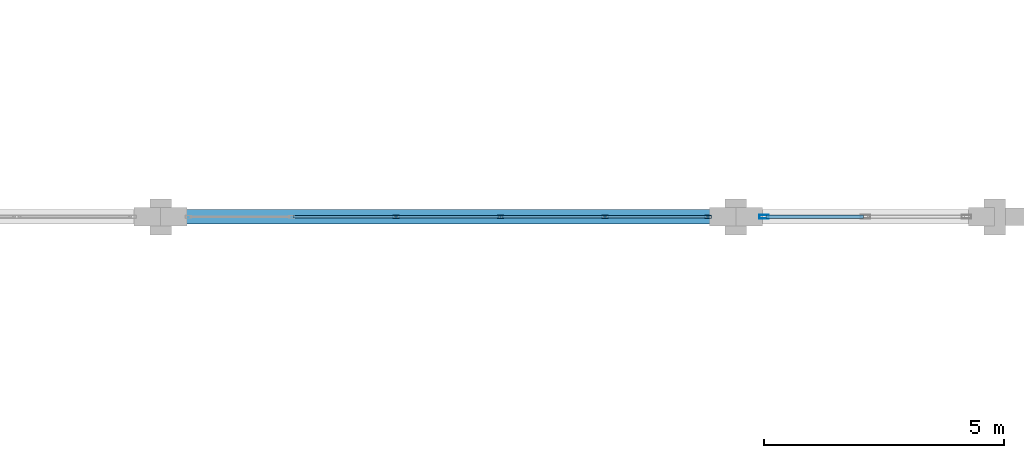
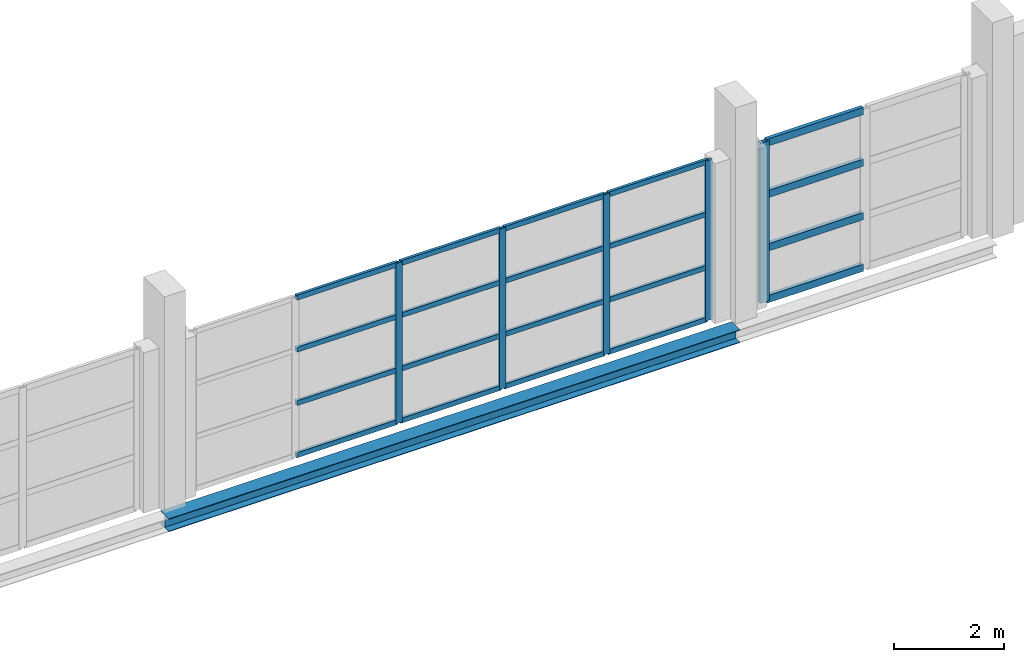
# One storey, part 61 of 147: 25 members, 1 beam, 2 elements without a shape of their own.
"""IFC4 building model written with IfcOpenShell, lengths in metres."""

from ifc_helpers import new_model, si_unit, direction, frame, origin, origin_2d, place, context, subcontext, project, spatial, hollow_rectangle, i_section, extrude, material, layer, layer_set, material_profile, profile_set, type_object, element, aggregate, save


model = new_model("IFC4")

# Units and contexts
model_context = context("Model", 3, precision=1e-05, world=origin(), true_north=direction((0.0, 1.0)))
body_context = subcontext(model_context, "Body", "Model", "MODEL_VIEW")
ifc_project = project(units=[si_unit("LENGTHUNIT", "METRE"), si_unit("AREAUNIT", "SQUARE_METRE"), si_unit("VOLUMEUNIT", "CUBIC_METRE"), si_unit("PLANEANGLEUNIT", "RADIAN"), si_unit("MASSUNIT", "GRAM", prefix="KILO")], contexts=[model_context])

# Site, building, storey
site_placement = place(None, origin())
site = spatial("IfcSite", under=ifc_project, at=site_placement, CompositionType="ELEMENT")
building_placement = place(site_placement, origin())
building = spatial("IfcBuilding", under=site, at=building_placement, Name="Zilviju Railside Exhibition Hall", CompositionType="ELEMENT")
storey_placement = place(building_placement, frame((0.0, 0.0, 8.39990234375)))
storey = spatial("IfcBuildingStorey", under=building, at=storey_placement, Name="L03", CompositionType="ELEMENT", Elevation=8.39990234375)

# Beam
ifc_material_1 = material(Name="Steel S355J2", Category="steel")
ifc_material_profile_1 = material_profile(ifc_material_1, i_section(OverallWidth=0.300048828125, OverallDepth=0.2900390625, WebThickness=0.008544921875, FlangeThickness=0.013916015625, at=origin_2d()), Name="HEA 300")
ifc_profile_set_1 = profile_set([ifc_material_profile_1], Name="Steel S355J2")
beam_type = type_object("IfcBeamType", Name="BM-HEA300", PredefinedType="SPANDREL", material=ifc_profile_set_1)
beam_placement = place(storey_placement, frame((108.0, 54.0, -0.48486328125), z_axis=(1.0, 0.0, 0.0), x_axis=(0.0, 1.0, 0.0)))
element("IfcBeam", 1, at=beam_placement, inside=storey, type_object=beam_type, Name="Primary Girder L03 Y=54.0 (108.0..120.0)", PredefinedType="SPANDREL", context=body_context, shape_type="SweptSolid", body=[
    extrude(i_section(OverallWidth=0.300048828125, OverallDepth=0.2900390625, WebThickness=0.008544921875, FlangeThickness=0.013916015625, at=origin_2d()), origin(), (0.0, 0.0, 1.0), 12.0),
])

# Curtain wall, members
ifc_material_2 = material(Name="Thermally broken aluminium-steel triple-glazed curtain wall", Category="steel")
ifc_layer_1 = layer(ifc_material_2, 0.179931640625)
ifc_layer_set_1 = layer_set([ifc_layer_1], Name="Thermally broken aluminium-steel triple-glazed curtain wall")
curtain_wall_type_1 = type_object("IfcCurtainWallType", Name="CW-BAY-05", PredefinedType="USERDEFINED", material=ifc_layer_set_1)
curtain_wall_1_placement = place(storey_placement, origin())
curtain_wall_1 = element("IfcCurtainWall", 2, at=curtain_wall_1_placement, inside=storey, type_object=curtain_wall_type_1, Name="South Hall Garden Court Curtain Wall L03 (108..120)", ObjectType="GLAZED CURTAIN WALL", PredefinedType="USERDEFINED")
ifc_material_3 = material(Name="Thermally broken anodized aluminium mullion", Category="aluminium")
ifc_material_profile_2 = material_profile(ifc_material_3, hollow_rectangle(XDim=0.06005859375, YDim=0.139892578125, WallThickness=0.0048828125, at=origin_2d()), Name="MULLION 140x60x5")
ifc_profile_set_2 = profile_set([ifc_material_profile_2], Name="Thermally broken anodized aluminium mullion")
member_type_1 = type_object("IfcMemberType", Name="CWM-60x140", PredefinedType="MULLION", material=ifc_profile_set_2)
member_1_placement = place(storey_placement, frame((112.909912109375, 54.0, 0.0), z_axis=(0.0, 0.0, 1.0), x_axis=(0.0, 1.0, 0.0)))
member_1 = element("IfcMember", 3, at=member_1_placement, type_object=member_type_1, Name="CW-05 mullion 3", PredefinedType="MULLION", context=body_context, shape_type="SweptSolid", body=[
    extrude(hollow_rectangle(XDim=0.06005859375, YDim=0.139892578125, WallThickness=0.0048828125, at=origin_2d()), origin(), (0.0, 0.0, 1.0), 3.56005859375),
])
member_2_placement = place(storey_placement, frame((115.090087890625, 54.0, 0.0), z_axis=(0.0, 0.0, 1.0), x_axis=(0.0, 1.0, 0.0)))
member_2 = element("IfcMember", 4, at=member_2_placement, type_object=member_type_1, Name="CW-05 mullion 4", PredefinedType="MULLION", context=body_context, shape_type="SweptSolid", body=[
    extrude(hollow_rectangle(XDim=0.06005859375, YDim=0.139892578125, WallThickness=0.0048828125, at=origin_2d()), origin(), (0.0, 0.0, 1.0), 3.56005859375),
])
member_3_placement = place(storey_placement, frame((117.27001953125, 54.0, 0.0), z_axis=(0.0, 0.0, 1.0), x_axis=(0.0, 1.0, 0.0)))
member_3 = element("IfcMember", 5, at=member_3_placement, type_object=member_type_1, Name="CW-05 mullion 5", PredefinedType="MULLION", context=body_context, shape_type="SweptSolid", body=[
    extrude(hollow_rectangle(XDim=0.06005859375, YDim=0.139892578125, WallThickness=0.0048828125, at=origin_2d()), origin(), (0.0, 0.0, 1.0), 3.56005859375),
])
member_4_placement = place(storey_placement, frame((119.419921875, 54.0, 0.0), z_axis=(0.0, 0.0, 1.0), x_axis=(0.0, 1.0, 0.0)))
member_4 = element("IfcMember", 6, at=member_4_placement, type_object=member_type_1, Name="CW-05 mullion 6", PredefinedType="MULLION", context=body_context, shape_type="SweptSolid", body=[
    extrude(hollow_rectangle(XDim=0.06005859375, YDim=0.139892578125, WallThickness=0.0048828125, at=origin_2d()), origin(), (0.0, 0.0, 1.0), 3.56005859375),
])

# Curtain wall, member
ifc_layer_2 = layer(ifc_material_2, 0.179931640625)
ifc_layer_set_2 = layer_set([ifc_layer_2], Name="Thermally broken aluminium-steel triple-glazed curtain wall")
curtain_wall_type_2 = type_object("IfcCurtainWallType", Name="CW-BAY-06", PredefinedType="USERDEFINED", material=ifc_layer_set_2)
curtain_wall_2_placement = place(storey_placement, origin())
curtain_wall_2 = element("IfcCurtainWall", 7, at=curtain_wall_2_placement, inside=storey, type_object=curtain_wall_type_2, Name="South Hall Garden Court Curtain Wall L03 (120..125)", ObjectType="GLAZED CURTAIN WALL", PredefinedType="USERDEFINED")
ifc_material_profile_3 = material_profile(ifc_material_3, hollow_rectangle(XDim=0.080078125, YDim=0.199951171875, WallThickness=0.0048828125, at=origin_2d()), Name="MULLION 200x80x5")
ifc_profile_set_3 = profile_set([ifc_material_profile_3], Name="Thermally broken anodized aluminium mullion")
member_type_2 = type_object("IfcMemberType", Name="CWM-80x200", PredefinedType="MULLION", material=ifc_profile_set_3)
member_5_placement = place(storey_placement, frame((120.590087890625, 54.0, 0.0), z_axis=(0.0, 0.0, 1.0), x_axis=(0.0, 1.0, 0.0)))
member_5 = element("IfcMember", 8, at=member_5_placement, type_object=member_type_2, Name="CW-06 mullion 1", PredefinedType="MULLION", context=body_context, shape_type="SweptSolid", body=[
    extrude(hollow_rectangle(XDim=0.080078125, YDim=0.199951171875, WallThickness=0.0048828125, at=origin_2d()), origin(), (0.0, 0.0, 1.0), 3.56005859375),
])

# Member
ifc_material_4 = material(Name="Thermally broken anodized aluminium transom", Category="aluminium")
ifc_material_profile_4 = material_profile(ifc_material_4, hollow_rectangle(XDim=0.06005859375, YDim=0.110107421875, WallThickness=0.0048828125, at=origin_2d()), Name="TRANSOM 110x60x5")
ifc_profile_set_4 = profile_set([ifc_material_profile_4], Name="Thermally broken anodized aluminium transom")
member_type_3 = type_object("IfcMemberType", Name="CWT-60x110", PredefinedType="USERDEFINED", material=ifc_profile_set_4)
member_6_placement = place(storey_placement, frame((110.760009765625, 54.0, 0.030029296875), z_axis=(1.0, 0.0, 0.0), x_axis=(0.0, 1.0, 0.0)))
member_6 = element("IfcMember", 9, at=member_6_placement, type_object=member_type_3, Name="CW-05 transom 2.1", ObjectType="TRANSOM", PredefinedType="USERDEFINED", context=body_context, shape_type="SweptSolid", body=[
    extrude(hollow_rectangle(XDim=0.06005859375, YDim=0.110107421875, WallThickness=0.0048828125, at=origin_2d()), origin(), (0.0, 0.0, 1.0), 2.119873046875),
])

member_7_placement = place(storey_placement, frame((110.760009765625, 54.0, 1.18701171875), z_axis=(1.0, 0.0, 0.0), x_axis=(0.0, 1.0, 0.0)))
member_7 = element("IfcMember", 10, at=member_7_placement, type_object=member_type_3, Name="CW-05 transom 2.2", ObjectType="TRANSOM", PredefinedType="USERDEFINED", context=body_context, shape_type="SweptSolid", body=[
    extrude(hollow_rectangle(XDim=0.06005859375, YDim=0.110107421875, WallThickness=0.0048828125, at=origin_2d()), origin(), (0.0, 0.0, 1.0), 2.119873046875),
])

member_8_placement = place(storey_placement, frame((110.760009765625, 54.0, 2.373046875), z_axis=(1.0, 0.0, 0.0), x_axis=(0.0, 1.0, 0.0)))
member_8 = element("IfcMember", 11, at=member_8_placement, type_object=member_type_3, Name="CW-05 transom 2.3", ObjectType="TRANSOM", PredefinedType="USERDEFINED", context=body_context, shape_type="SweptSolid", body=[
    extrude(hollow_rectangle(XDim=0.06005859375, YDim=0.110107421875, WallThickness=0.0048828125, at=origin_2d()), origin(), (0.0, 0.0, 1.0), 2.119873046875),
])

member_9_placement = place(storey_placement, frame((110.760009765625, 54.0, 3.530029296875), z_axis=(1.0, 0.0, 0.0), x_axis=(0.0, 1.0, 0.0)))
member_9 = element("IfcMember", 12, at=member_9_placement, type_object=member_type_3, Name="CW-05 transom 2.4", ObjectType="TRANSOM", PredefinedType="USERDEFINED", context=body_context, shape_type="SweptSolid", body=[
    extrude(hollow_rectangle(XDim=0.06005859375, YDim=0.110107421875, WallThickness=0.0048828125, at=origin_2d()), origin(), (0.0, 0.0, 1.0), 2.119873046875),
])

member_10_placement = place(storey_placement, frame((112.93994140625, 54.0, 0.030029296875), z_axis=(1.0, 0.0, 0.0), x_axis=(0.0, 1.0, 0.0)))
member_10 = element("IfcMember", 13, at=member_10_placement, type_object=member_type_3, Name="CW-05 transom 3.1", ObjectType="TRANSOM", PredefinedType="USERDEFINED", context=body_context, shape_type="SweptSolid", body=[
    extrude(hollow_rectangle(XDim=0.06005859375, YDim=0.110107421875, WallThickness=0.0048828125, at=origin_2d()), origin(), (0.0, 0.0, 1.0), 2.1201171875),
])

member_11_placement = place(storey_placement, frame((112.93994140625, 54.0, 1.18701171875), z_axis=(1.0, 0.0, 0.0), x_axis=(0.0, 1.0, 0.0)))
member_11 = element("IfcMember", 14, at=member_11_placement, type_object=member_type_3, Name="CW-05 transom 3.2", ObjectType="TRANSOM", PredefinedType="USERDEFINED", context=body_context, shape_type="SweptSolid", body=[
    extrude(hollow_rectangle(XDim=0.06005859375, YDim=0.110107421875, WallThickness=0.0048828125, at=origin_2d()), origin(), (0.0, 0.0, 1.0), 2.1201171875),
])

member_12_placement = place(storey_placement, frame((112.93994140625, 54.0, 2.373046875), z_axis=(1.0, 0.0, 0.0), x_axis=(0.0, 1.0, 0.0)))
member_12 = element("IfcMember", 15, at=member_12_placement, type_object=member_type_3, Name="CW-05 transom 3.3", ObjectType="TRANSOM", PredefinedType="USERDEFINED", context=body_context, shape_type="SweptSolid", body=[
    extrude(hollow_rectangle(XDim=0.06005859375, YDim=0.110107421875, WallThickness=0.0048828125, at=origin_2d()), origin(), (0.0, 0.0, 1.0), 2.1201171875),
])

member_13_placement = place(storey_placement, frame((112.93994140625, 54.0, 3.530029296875), z_axis=(1.0, 0.0, 0.0), x_axis=(0.0, 1.0, 0.0)))
member_13 = element("IfcMember", 16, at=member_13_placement, type_object=member_type_3, Name="CW-05 transom 3.4", ObjectType="TRANSOM", PredefinedType="USERDEFINED", context=body_context, shape_type="SweptSolid", body=[
    extrude(hollow_rectangle(XDim=0.06005859375, YDim=0.110107421875, WallThickness=0.0048828125, at=origin_2d()), origin(), (0.0, 0.0, 1.0), 2.1201171875),
])

member_14_placement = place(storey_placement, frame((115.1201171875, 54.0, 0.030029296875), z_axis=(1.0, 0.0, 0.0), x_axis=(0.0, 1.0, 0.0)))
member_14 = element("IfcMember", 17, at=member_14_placement, type_object=member_type_3, Name="CW-05 transom 4.1", ObjectType="TRANSOM", PredefinedType="USERDEFINED", context=body_context, shape_type="SweptSolid", body=[
    extrude(hollow_rectangle(XDim=0.06005859375, YDim=0.110107421875, WallThickness=0.0048828125, at=origin_2d()), origin(), (0.0, 0.0, 1.0), 2.119873046875),
])

member_15_placement = place(storey_placement, frame((115.1201171875, 54.0, 1.18701171875), z_axis=(1.0, 0.0, 0.0), x_axis=(0.0, 1.0, 0.0)))
member_15 = element("IfcMember", 18, at=member_15_placement, type_object=member_type_3, Name="CW-05 transom 4.2", ObjectType="TRANSOM", PredefinedType="USERDEFINED", context=body_context, shape_type="SweptSolid", body=[
    extrude(hollow_rectangle(XDim=0.06005859375, YDim=0.110107421875, WallThickness=0.0048828125, at=origin_2d()), origin(), (0.0, 0.0, 1.0), 2.119873046875),
])

member_16_placement = place(storey_placement, frame((115.1201171875, 54.0, 2.373046875), z_axis=(1.0, 0.0, 0.0), x_axis=(0.0, 1.0, 0.0)))
member_16 = element("IfcMember", 19, at=member_16_placement, type_object=member_type_3, Name="CW-05 transom 4.3", ObjectType="TRANSOM", PredefinedType="USERDEFINED", context=body_context, shape_type="SweptSolid", body=[
    extrude(hollow_rectangle(XDim=0.06005859375, YDim=0.110107421875, WallThickness=0.0048828125, at=origin_2d()), origin(), (0.0, 0.0, 1.0), 2.119873046875),
])

member_17_placement = place(storey_placement, frame((115.1201171875, 54.0, 3.530029296875), z_axis=(1.0, 0.0, 0.0), x_axis=(0.0, 1.0, 0.0)))
member_17 = element("IfcMember", 20, at=member_17_placement, type_object=member_type_3, Name="CW-05 transom 4.4", ObjectType="TRANSOM", PredefinedType="USERDEFINED", context=body_context, shape_type="SweptSolid", body=[
    extrude(hollow_rectangle(XDim=0.06005859375, YDim=0.110107421875, WallThickness=0.0048828125, at=origin_2d()), origin(), (0.0, 0.0, 1.0), 2.119873046875),
])

member_18_placement = place(storey_placement, frame((117.300048828125, 54.0, 0.030029296875), z_axis=(1.0, 0.0, 0.0), x_axis=(0.0, 1.0, 0.0)))
member_18 = element("IfcMember", 21, at=member_18_placement, type_object=member_type_3, Name="CW-05 transom 5.1", ObjectType="TRANSOM", PredefinedType="USERDEFINED", context=body_context, shape_type="SweptSolid", body=[
    extrude(hollow_rectangle(XDim=0.06005859375, YDim=0.110107421875, WallThickness=0.0048828125, at=origin_2d()), origin(), (0.0, 0.0, 1.0), 2.08984375),
])

member_19_placement = place(storey_placement, frame((117.300048828125, 54.0, 1.18701171875), z_axis=(1.0, 0.0, 0.0), x_axis=(0.0, 1.0, 0.0)))
member_19 = element("IfcMember", 22, at=member_19_placement, type_object=member_type_3, Name="CW-05 transom 5.2", ObjectType="TRANSOM", PredefinedType="USERDEFINED", context=body_context, shape_type="SweptSolid", body=[
    extrude(hollow_rectangle(XDim=0.06005859375, YDim=0.110107421875, WallThickness=0.0048828125, at=origin_2d()), origin(), (0.0, 0.0, 1.0), 2.08984375),
])

member_20_placement = place(storey_placement, frame((117.300048828125, 54.0, 2.373046875), z_axis=(1.0, 0.0, 0.0), x_axis=(0.0, 1.0, 0.0)))
member_20 = element("IfcMember", 23, at=member_20_placement, type_object=member_type_3, Name="CW-05 transom 5.3", ObjectType="TRANSOM", PredefinedType="USERDEFINED", context=body_context, shape_type="SweptSolid", body=[
    extrude(hollow_rectangle(XDim=0.06005859375, YDim=0.110107421875, WallThickness=0.0048828125, at=origin_2d()), origin(), (0.0, 0.0, 1.0), 2.08984375),
])

member_21_placement = place(storey_placement, frame((117.300048828125, 54.0, 3.530029296875), z_axis=(1.0, 0.0, 0.0), x_axis=(0.0, 1.0, 0.0)))
member_21 = element("IfcMember", 24, at=member_21_placement, type_object=member_type_3, Name="CW-05 transom 5.4", ObjectType="TRANSOM", PredefinedType="USERDEFINED", context=body_context, shape_type="SweptSolid", body=[
    extrude(hollow_rectangle(XDim=0.06005859375, YDim=0.110107421875, WallThickness=0.0048828125, at=origin_2d()), origin(), (0.0, 0.0, 1.0), 2.08984375),
])

aggregate(curtain_wall_1, [member_1, member_2, member_3, member_4, member_6, member_7, member_8, member_9, member_10, member_11, member_12, member_13, member_14, member_15, member_16, member_17, member_18, member_19, member_20, member_21])

ifc_material_profile_5 = material_profile(ifc_material_4, hollow_rectangle(XDim=0.080078125, YDim=0.159912109375, WallThickness=0.0048828125, at=origin_2d()), Name="TRANSOM 160x80x5")
ifc_profile_set_5 = profile_set([ifc_material_profile_5], Name="Thermally broken anodized aluminium transom")
member_type_4 = type_object("IfcMemberType", Name="CWT-80x160", PredefinedType="USERDEFINED", material=ifc_profile_set_5)
member_22_placement = place(storey_placement, frame((120.6298828125, 54.0, 0.0400390625), z_axis=(1.0, 0.0, 0.0), x_axis=(0.0, 1.0, 0.0)))
member_22 = element("IfcMember", 25, at=member_22_placement, type_object=member_type_4, Name="CW-06 transom 1.1", ObjectType="TRANSOM", PredefinedType="USERDEFINED", context=body_context, shape_type="SweptSolid", body=[
    extrude(hollow_rectangle(XDim=0.080078125, YDim=0.159912109375, WallThickness=0.0048828125, at=origin_2d()), origin(), (0.0, 0.0, 1.0), 2.030029296875),
])

member_23_placement = place(storey_placement, frame((120.6298828125, 54.0, 1.18701171875), z_axis=(1.0, 0.0, 0.0), x_axis=(0.0, 1.0, 0.0)))
member_23 = element("IfcMember", 26, at=member_23_placement, type_object=member_type_4, Name="CW-06 transom 1.2", ObjectType="TRANSOM", PredefinedType="USERDEFINED", context=body_context, shape_type="SweptSolid", body=[
    extrude(hollow_rectangle(XDim=0.080078125, YDim=0.159912109375, WallThickness=0.0048828125, at=origin_2d()), origin(), (0.0, 0.0, 1.0), 2.030029296875),
])

member_24_placement = place(storey_placement, frame((120.6298828125, 54.0, 2.373046875), z_axis=(1.0, 0.0, 0.0), x_axis=(0.0, 1.0, 0.0)))
member_24 = element("IfcMember", 27, at=member_24_placement, type_object=member_type_4, Name="CW-06 transom 1.3", ObjectType="TRANSOM", PredefinedType="USERDEFINED", context=body_context, shape_type="SweptSolid", body=[
    extrude(hollow_rectangle(XDim=0.080078125, YDim=0.159912109375, WallThickness=0.0048828125, at=origin_2d()), origin(), (0.0, 0.0, 1.0), 2.030029296875),
])

member_25_placement = place(storey_placement, frame((120.6298828125, 54.0, 3.52001953125), z_axis=(1.0, 0.0, 0.0), x_axis=(0.0, 1.0, 0.0)))
member_25 = element("IfcMember", 28, at=member_25_placement, type_object=member_type_4, Name="CW-06 transom 1.4", ObjectType="TRANSOM", PredefinedType="USERDEFINED", context=body_context, shape_type="SweptSolid", body=[
    extrude(hollow_rectangle(XDim=0.080078125, YDim=0.159912109375, WallThickness=0.0048828125, at=origin_2d()), origin(), (0.0, 0.0, 1.0), 2.030029296875),
])

aggregate(curtain_wall_2, [member_5, member_22, member_23, member_24, member_25])

save(model, "model.ifc")
